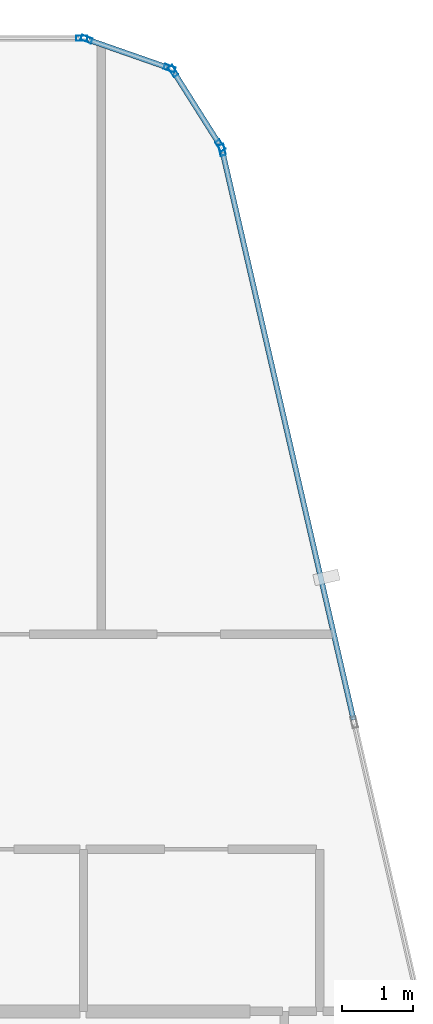
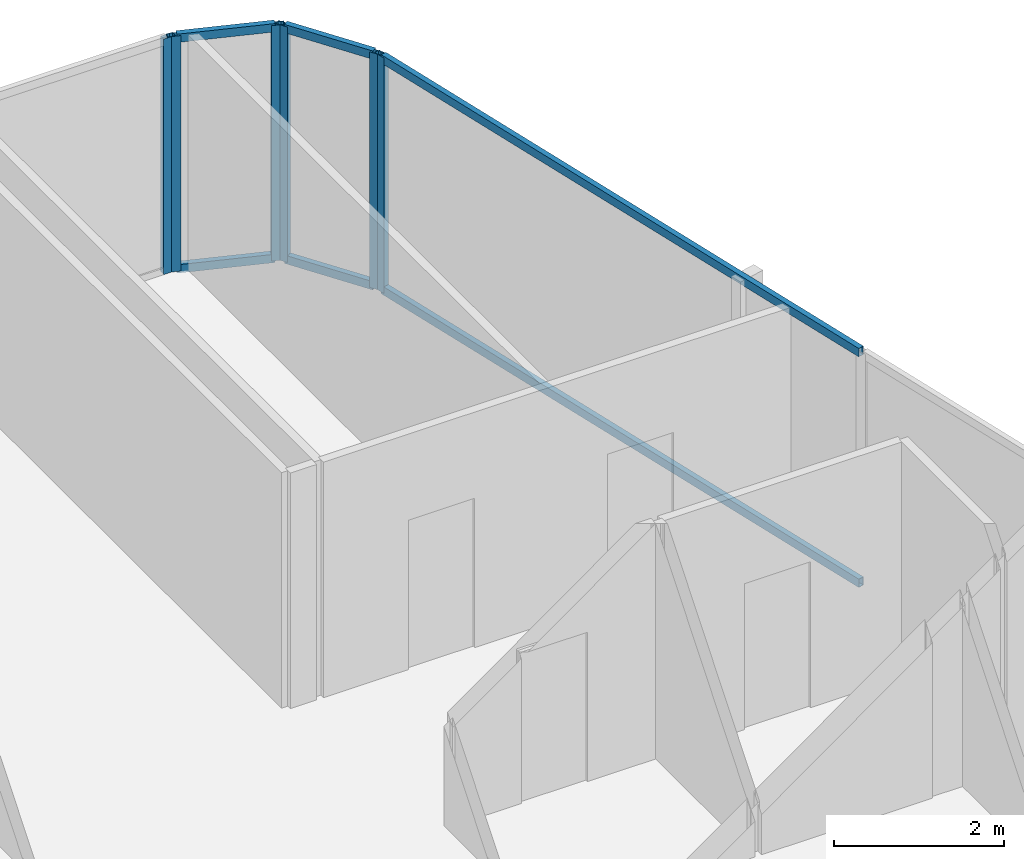
# One storey, part 21 of 29: 12 members, 4 elements without a shape of their own.
"""IFC4 building model written with IfcOpenShell, lengths in metres."""

from ifc_helpers import new_model, si_unit, direction, frame, origin, origin_2d, place, context, subcontext, project, spatial, hollow_rectangle, extrude, material, layer, layer_set, material_profile, profile_set, type_object, element, aggregate, save


model = new_model("IFC4")

# Units and contexts
model_context = context("Model", 3, precision=1e-05, world=origin(), true_north=direction((0.0, 1.0)))
body_context = subcontext(model_context, "Body", "Model", "MODEL_VIEW")
ifc_project = project(units=[si_unit("LENGTHUNIT", "METRE"), si_unit("AREAUNIT", "SQUARE_METRE"), si_unit("VOLUMEUNIT", "CUBIC_METRE"), si_unit("PLANEANGLEUNIT", "RADIAN"), si_unit("MASSUNIT", "GRAM", prefix="KILO")], contexts=[model_context])

# Site, building, storey
site_placement = place(None, origin())
site = spatial("IfcSite", under=ifc_project, at=site_placement, CompositionType="ELEMENT")
building_placement = place(site_placement, origin())
building = spatial("IfcBuilding", under=site, at=building_placement, Name="Keshet Zoharim Tower", CompositionType="ELEMENT")
storey_placement = place(building_placement, frame((0.0, 0.0, 210.60009765625)))
storey = spatial("IfcBuildingStorey", under=building, at=storey_placement, Name="L52", CompositionType="ELEMENT", Elevation=210.60009765625)

# Curtain wall, member
ifc_material = material(Name="Aluminium 6063-T6", Category="aluminium")
ifc_layer = layer(ifc_material, 0.139892578125)
ifc_layer_set = layer_set([ifc_layer], Name="Aluminium 6063-T6")
curtain_wall_type = type_object("IfcCurtainWallType", Name="CW-SYS-05", PredefinedType="NOTDEFINED", material=ifc_layer_set)
curtain_wall_1_placement = place(storey_placement, origin())
curtain_wall_1 = element("IfcCurtainWall", 1, at=curtain_wall_1_placement, inside=storey, type_object=curtain_wall_type, Name="L52 Unitised Curtain Wall 16 Part 3", PredefinedType="NOTDEFINED")
ifc_material_profile_1 = material_profile(ifc_material, hollow_rectangle(XDim=0.074951171875, YDim=0.159912109375, WallThickness=0.00390625, at=origin_2d()), Name="MUL-75x160")
ifc_profile_set_1 = profile_set([ifc_material_profile_1], Name="Aluminium 6063-T6")
member_type_1 = type_object("IfcMemberType", Name="CWM-M15", PredefinedType="MULLION", material=ifc_profile_set_1)
member_1_placement = place(storey_placement, frame((37.3740234375, 53.89990234375, 0.0), z_axis=(0.0, 0.0, 1.0), x_axis=(0.0, 1.0, 0.0)))
member_1 = element("IfcMember", 2, at=member_1_placement, type_object=member_type_1, Name="CW-05 mullion 3", PredefinedType="MULLION", context=body_context, shape_type="SweptSolid", body=[
    extrude(hollow_rectangle(XDim=0.074951171875, YDim=0.159912109375, WallThickness=0.00390625, at=origin_2d()), origin(), (0.0, 0.0, 1.0), 3.389892578125),
])
aggregate(curtain_wall_1, [member_1])

# Curtain wall, members
curtain_wall_2_placement = place(storey_placement, origin())
curtain_wall_2 = element("IfcCurtainWall", 3, at=curtain_wall_2_placement, inside=storey, type_object=curtain_wall_type, Name="L52 Unitised Curtain Wall 17", PredefinedType="NOTDEFINED")
member_2_placement = place(storey_placement, frame((37.442138671875, 53.888427734375, 0.0), z_axis=(0.0, 0.0, 1.0), x_axis=(0.329843743636, 0.944035542119, 0.0)))
member_2 = element("IfcMember", 4, at=member_2_placement, type_object=member_type_1, Name="CW-05 mullion 1", PredefinedType="MULLION", context=body_context, shape_type="SweptSolid", body=[
    extrude(hollow_rectangle(XDim=0.074951171875, YDim=0.159912109375, WallThickness=0.00390625, at=origin_2d()), origin(), (0.0, 0.0, 1.0), 3.389892578125),
])
member_3_placement = place(storey_placement, frame((38.620849609375, 53.4765625, 0.0), z_axis=(0.0, 0.0, 1.0), x_axis=(0.329843743636, 0.944035542119, 0.0)))
member_3 = element("IfcMember", 5, at=member_3_placement, type_object=member_type_1, Name="CW-05 mullion 2", PredefinedType="MULLION", context=body_context, shape_type="SweptSolid", body=[
    extrude(hollow_rectangle(XDim=0.074951171875, YDim=0.159912109375, WallThickness=0.00390625, at=origin_2d()), origin(), (0.0, 0.0, 1.0), 3.389892578125),
])

curtain_wall_3_placement = place(storey_placement, origin())
curtain_wall_3 = element("IfcCurtainWall", 6, at=curtain_wall_3_placement, inside=storey, type_object=curtain_wall_type, Name="L52 Unitised Curtain Wall 18", PredefinedType="NOTDEFINED")
member_4_placement = place(storey_placement, frame((38.672607421875, 53.435302734375, 0.0), z_axis=(0.0, 0.0, 1.0), x_axis=(0.845560976183, 0.533878858502, 0.0)))
member_4 = element("IfcMember", 7, at=member_4_placement, type_object=member_type_1, Name="CW-05 mullion 1", PredefinedType="MULLION", context=body_context, shape_type="SweptSolid", body=[
    extrude(hollow_rectangle(XDim=0.074951171875, YDim=0.159912109375, WallThickness=0.00390625, at=origin_2d()), origin(), (0.0, 0.0, 1.0), 3.389892578125),
])
member_5_placement = place(storey_placement, frame((39.33935546875, 52.379638671875, 0.0), z_axis=(0.0, 0.0, 1.0), x_axis=(0.845560976183, 0.533878858502, 0.0)))
member_5 = element("IfcMember", 8, at=member_5_placement, type_object=member_type_1, Name="CW-05 mullion 2", PredefinedType="MULLION", context=body_context, shape_type="SweptSolid", body=[
    extrude(hollow_rectangle(XDim=0.074951171875, YDim=0.159912109375, WallThickness=0.00390625, at=origin_2d()), origin(), (0.0, 0.0, 1.0), 3.389892578125),
])

# Curtain wall, member
curtain_wall_4_placement = place(storey_placement, origin())
curtain_wall_4 = element("IfcCurtainWall", 9, at=curtain_wall_4_placement, inside=storey, type_object=curtain_wall_type, Name="L52 Unitised Curtain Wall 19", PredefinedType="NOTDEFINED")
member_6_placement = place(storey_placement, frame((39.365966796875, 52.31591796875, 0.0), z_axis=(0.0, 0.0, 1.0), x_axis=(0.974393882313, 0.224847864369, 0.0)))
member_6 = element("IfcMember", 10, at=member_6_placement, type_object=member_type_1, Name="CW-05 mullion 1", PredefinedType="MULLION", context=body_context, shape_type="SweptSolid", body=[
    extrude(hollow_rectangle(XDim=0.074951171875, YDim=0.159912109375, WallThickness=0.00390625, at=origin_2d()), origin(), (0.0, 0.0, 1.0), 3.389892578125),
])

# Member
ifc_material_profile_2 = material_profile(ifc_material, hollow_rectangle(XDim=0.074951171875, YDim=0.1201171875, WallThickness=0.00390625, at=origin_2d()), Name="TRN-75x120")
ifc_profile_set_2 = profile_set([ifc_material_profile_2], Name="Aluminium 6063-T6")
member_type_2 = type_object("IfcMemberType", Name="CWT-T12", PredefinedType="USERDEFINED", material=ifc_profile_set_2)
member_7_placement = place(storey_placement, frame((37.47509765625, 53.876953125, 0.034912109375), z_axis=(0.944006789648, -0.329926023675, 0.0), x_axis=(0.329926023675, 0.944006789648, 0.0)))
member_7 = element("IfcMember", 11, at=member_7_placement, type_object=member_type_2, Name="CW-05 transom 1.1", ObjectType="TRANSOM", PredefinedType="USERDEFINED", context=body_context, shape_type="SweptSolid", body=[
    extrude(hollow_rectangle(XDim=0.074951171875, YDim=0.1201171875, WallThickness=0.00390625, at=origin_2d()), origin(), (0.0, 0.0, 1.0), 1.1787109375),
])

member_8_placement = place(storey_placement, frame((37.47509765625, 53.876953125, 3.35498046875), z_axis=(0.944006789648, -0.329926023675, 0.0), x_axis=(0.329926023675, 0.944006789648, 0.0)))
member_8 = element("IfcMember", 12, at=member_8_placement, type_object=member_type_2, Name="CW-05 transom 1.2", ObjectType="TRANSOM", PredefinedType="USERDEFINED", context=body_context, shape_type="SweptSolid", body=[
    extrude(hollow_rectangle(XDim=0.074951171875, YDim=0.1201171875, WallThickness=0.00390625, at=origin_2d()), origin(), (0.0, 0.0, 1.0), 1.1787109375),
])

aggregate(curtain_wall_2, [member_2, member_3, member_7, member_8])

member_9_placement = place(storey_placement, frame((38.69140625, 53.40576171875, 0.034912109375), z_axis=(0.53382931122, -0.845592257819, 0.0), x_axis=(0.845592257819, 0.53382931122, 0.0)))
member_9 = element("IfcMember", 13, at=member_9_placement, type_object=member_type_2, Name="CW-05 transom 1.1", ObjectType="TRANSOM", PredefinedType="USERDEFINED", context=body_context, shape_type="SweptSolid", body=[
    extrude(hollow_rectangle(XDim=0.074951171875, YDim=0.1201171875, WallThickness=0.00390625, at=origin_2d()), origin(), (0.0, 0.0, 1.0), 1.178466796875),
])

member_10_placement = place(storey_placement, frame((38.69140625, 53.40576171875, 3.35498046875), z_axis=(0.53382931122, -0.845592257819, 0.0), x_axis=(0.845592257819, 0.53382931122, 0.0)))
member_10 = element("IfcMember", 14, at=member_10_placement, type_object=member_type_2, Name="CW-05 transom 1.2", ObjectType="TRANSOM", PredefinedType="USERDEFINED", context=body_context, shape_type="SweptSolid", body=[
    extrude(hollow_rectangle(XDim=0.074951171875, YDim=0.1201171875, WallThickness=0.00390625, at=origin_2d()), origin(), (0.0, 0.0, 1.0), 1.178466796875),
])

aggregate(curtain_wall_3, [member_4, member_5, member_9, member_10])

member_11_placement = place(storey_placement, frame((39.373779296875, 52.28173828125, 0.034912109375), z_axis=(0.224835758738, -0.974396675688, 0.0), x_axis=(0.974396675688, 0.224835758738, 0.0)))
member_11 = element("IfcMember", 15, at=member_11_placement, type_object=member_type_2, Name="CW-05 transom 1.1", ObjectType="TRANSOM", PredefinedType="USERDEFINED", context=body_context, shape_type="SweptSolid", body=[
    extrude(hollow_rectangle(XDim=0.074951171875, YDim=0.1201171875, WallThickness=0.00390625, at=origin_2d()), origin(), (0.0, 0.0, 1.0), 8.259033203125),
])

member_12_placement = place(storey_placement, frame((39.373779296875, 52.28173828125, 3.35498046875), z_axis=(0.224835758738, -0.974396675688, 0.0), x_axis=(0.974396675688, 0.224835758738, 0.0)))
member_12 = element("IfcMember", 16, at=member_12_placement, type_object=member_type_2, Name="CW-05 transom 1.2", ObjectType="TRANSOM", PredefinedType="USERDEFINED", context=body_context, shape_type="SweptSolid", body=[
    extrude(hollow_rectangle(XDim=0.074951171875, YDim=0.1201171875, WallThickness=0.00390625, at=origin_2d()), origin(), (0.0, 0.0, 1.0), 8.259033203125),
])

aggregate(curtain_wall_4, [member_6, member_11, member_12])

save(model, "model.ifc")
